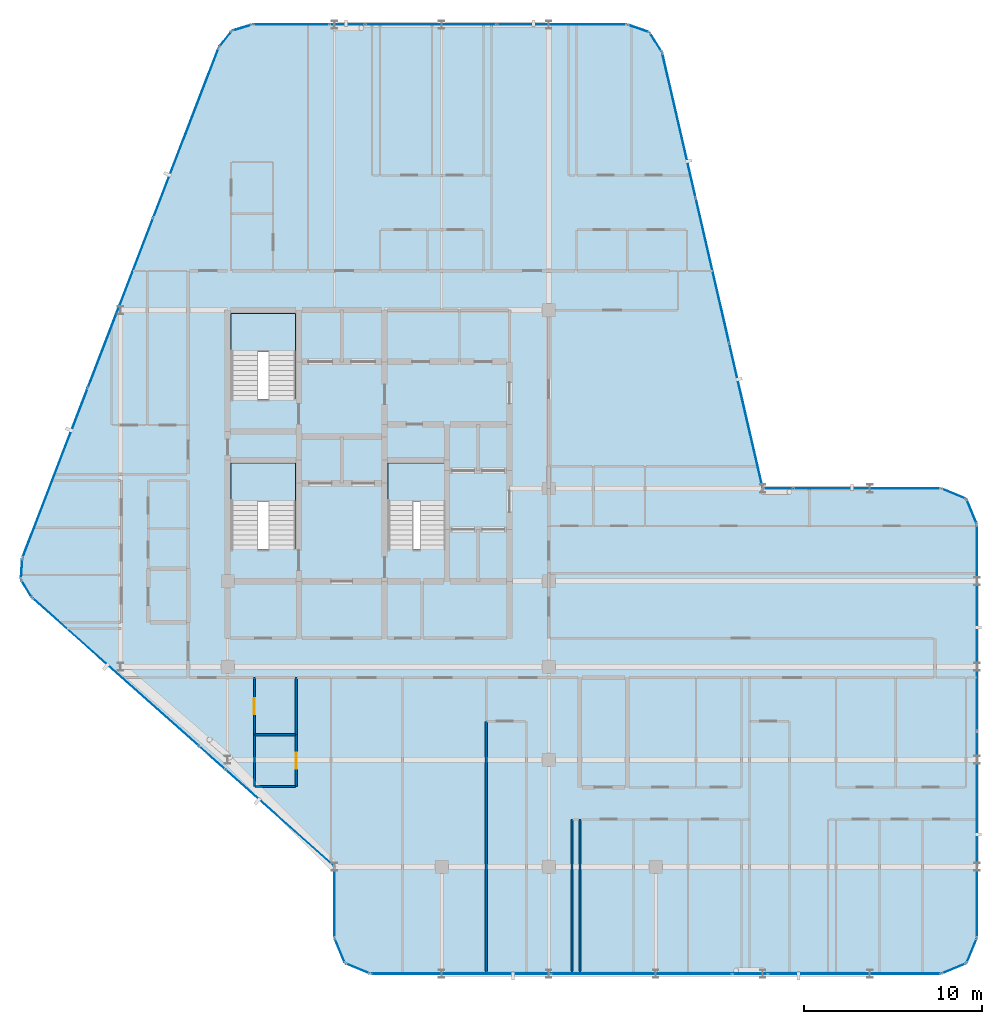
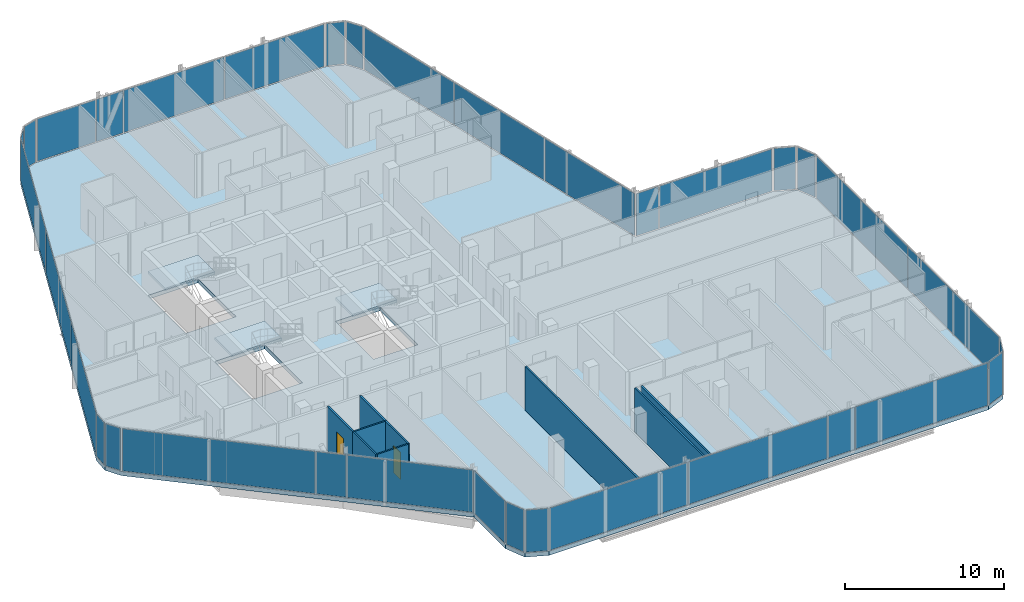
# One storey, part 22 of 29: 34 plates, 9 walls, 4 slabs, 2 doors, 2 openings, 30 elements without a shape of their own.
"""IFC4 building model written with IfcOpenShell, lengths in metres."""

from ifc_helpers import new_model, si_unit, direction, frame, frame_2d, origin, origin_2d, place, context, subcontext, project, spatial, polyline, rectangle, outline, extrude, material, layer, layer_set, type_object, element, fill, aggregate, save


model = new_model("IFC4")

# Units and contexts
model_context = context("Model", 3, precision=1e-05, world=origin(), true_north=direction((0.0, 1.0)))
body_context = subcontext(model_context, "Body", "Model", "MODEL_VIEW")
ifc_project = project(units=[si_unit("LENGTHUNIT", "METRE"), si_unit("AREAUNIT", "SQUARE_METRE"), si_unit("VOLUMEUNIT", "CUBIC_METRE"), si_unit("PLANEANGLEUNIT", "RADIAN"), si_unit("MASSUNIT", "GRAM", prefix="KILO")], contexts=[model_context])

# Site, building, storey
site_placement = place(None, origin())
site = spatial("IfcSite", under=ifc_project, at=site_placement, CompositionType="ELEMENT")
building_placement = place(site_placement, origin())
building = spatial("IfcBuilding", under=site, at=building_placement, Name="Keshet Zoharim Tower", CompositionType="ELEMENT")
storey_placement = place(building_placement, frame((0.0, 0.0, 210.60009765625)))
storey = spatial("IfcBuildingStorey", under=building, at=storey_placement, Name="L52", CompositionType="ELEMENT", Elevation=210.60009765625)

# Curtain wall, plate
ifc_material_1 = material(Name="Aluminium 6063-T6", Category="aluminium")
ifc_layer_1 = layer(ifc_material_1, 0.139892578125)
ifc_layer_set_1 = layer_set([ifc_layer_1], Name="Aluminium 6063-T6")
curtain_wall_type = type_object("IfcCurtainWallType", Name="CW-SYS-05", PredefinedType="NOTDEFINED", material=ifc_layer_set_1)
curtain_wall_1_placement = place(storey_placement, origin())
curtain_wall_1 = element("IfcCurtainWall", 1, at=curtain_wall_1_placement, inside=storey, type_object=curtain_wall_type, Name="L52 Unitised Curtain Wall 01", PredefinedType="NOTDEFINED")
ifc_material_2 = material(Name="Insulated Low-E Clear Glass", Category="glass")
ifc_layer_2 = layer(ifc_material_2, 0.031982421875)
ifc_layer_set_2 = layer_set([ifc_layer_2], Name="Insulated Low-E Clear Glass")
plate_type_1 = type_object("IfcPlateType", Name="CWP-02", PredefinedType="CURTAIN_PANEL", material=ifc_layer_set_2)
plate_1_placement = place(storey_placement, frame((55.70703125, 27.60693359375, 0.06982421875), z_axis=(0.0, 0.0, 1.0), x_axis=(0.92380975372, -0.382851849847, 0.0)))
plate_1 = element("IfcPlate", 2, at=plate_1_placement, type_object=plate_type_1, Name="CW-05 panel 1.1", PredefinedType="CURTAIN_PANEL", context=body_context, shape_type="SweptSolid", body=[
    extrude(rectangle(XDim=1.390625, YDim=0.031982421875, at=origin_2d()), origin(), (0.0, 0.0, 1.0), 3.25),
])
aggregate(curtain_wall_1, [plate_1])

curtain_wall_2_placement = place(storey_placement, origin())
curtain_wall_2 = element("IfcCurtainWall", 3, at=curtain_wall_2_placement, inside=storey, type_object=curtain_wall_type, Name="L52 Unitised Curtain Wall 02", PredefinedType="NOTDEFINED")
plate_2_placement = place(storey_placement, frame((56.70703125, 26.60693359375, 0.06982421875), z_axis=(0.0, 0.0, 1.0), x_axis=(0.382851849847, -0.92380975372, 0.0)))
plate_2 = element("IfcPlate", 4, at=plate_2_placement, type_object=plate_type_1, Name="CW-05 panel 1.1", PredefinedType="CURTAIN_PANEL", context=body_context, shape_type="SweptSolid", body=[
    extrude(rectangle(XDim=1.390625, YDim=0.031982421875, at=origin_2d()), origin(), (0.0, 0.0, 1.0), 3.25),
])
aggregate(curtain_wall_2, [plate_2])

# Curtain wall, plates
curtain_wall_3_placement = place(storey_placement, origin())
curtain_wall_3 = element("IfcCurtainWall", 5, at=curtain_wall_3_placement, inside=storey, type_object=curtain_wall_type, Name="L52 Unitised Curtain Wall 03", PredefinedType="NOTDEFINED")
plate_3_placement = place(storey_placement, frame((57.0, 20.08251953125, 0.06982421875), z_axis=(0.0, 0.0, 1.0), x_axis=(0.0, -1.0, 0.0)))
plate_3 = element("IfcPlate", 6, at=plate_3_placement, type_object=plate_type_1, Name="CW-05 panel 1.1", PredefinedType="CURTAIN_PANEL", context=body_context, shape_type="SweptSolid", body=[
    extrude(rectangle(XDim=11.4951171875, YDim=0.031982421875, at=origin_2d()), origin(), (0.0, 0.0, 1.0), 3.25),
])
plate_4_placement = place(storey_placement, frame((57.0, 8.517578125, 0.06982421875), z_axis=(0.0, 0.0, 1.0), x_axis=(0.0, -1.0, 0.0)))
plate_4 = element("IfcPlate", 7, at=plate_4_placement, type_object=plate_type_1, Name="CW-05 panel 2.1", PredefinedType="CURTAIN_PANEL", context=body_context, shape_type="SweptSolid", body=[
    extrude(rectangle(XDim=11.4951171875, YDim=0.031982421875, at=origin_2d()), origin(), (0.0, 0.0, 1.0), 3.25),
])
aggregate(curtain_wall_3, [plate_3, plate_4])

# Curtain wall, plate
curtain_wall_4_placement = place(storey_placement, origin())
curtain_wall_4 = element("IfcCurtainWall", 8, at=curtain_wall_4_placement, inside=storey, type_object=curtain_wall_type, Name="L52 Unitised Curtain Wall 04", PredefinedType="NOTDEFINED")
plate_5_placement = place(storey_placement, frame((56.70703125, 1.992919921875, 0.06982421875), z_axis=(0.0, 0.0, 1.0), x_axis=(-0.382851849847, -0.92380975372, 0.0)))
plate_5 = element("IfcPlate", 9, at=plate_5_placement, type_object=plate_type_1, Name="CW-05 panel 1.1", PredefinedType="CURTAIN_PANEL", context=body_context, shape_type="SweptSolid", body=[
    extrude(rectangle(XDim=1.390625, YDim=0.031982421875, at=origin_2d()), origin(), (0.0, 0.0, 1.0), 3.25),
])
aggregate(curtain_wall_4, [plate_5])

curtain_wall_5_placement = place(storey_placement, origin())
curtain_wall_5 = element("IfcCurtainWall", 10, at=curtain_wall_5_placement, inside=storey, type_object=curtain_wall_type, Name="L52 Unitised Curtain Wall 05", PredefinedType="NOTDEFINED")
plate_6_placement = place(storey_placement, frame((55.70703125, 0.992919921875, 0.06982421875), z_axis=(0.0, 0.0, 1.0), x_axis=(-0.92380975372, -0.382851849847, 0.0)))
plate_6 = element("IfcPlate", 11, at=plate_6_placement, type_object=plate_type_1, Name="CW-05 panel 1.1", PredefinedType="CURTAIN_PANEL", context=body_context, shape_type="SweptSolid", body=[
    extrude(rectangle(XDim=1.390625, YDim=0.031982421875, at=origin_2d()), origin(), (0.0, 0.0, 1.0), 3.25),
])
aggregate(curtain_wall_5, [plate_6])

curtain_wall_6_placement = place(storey_placement, origin())
curtain_wall_6 = element("IfcCurtainWall", 12, at=curtain_wall_6_placement, inside=storey, type_object=curtain_wall_type, Name="L52 Unitised Curtain Wall 06", PredefinedType="NOTDEFINED")
plate_7_placement = place(storey_placement, frame((50.1240234375, 0.699951171875, 0.06982421875), z_axis=(0.0, 0.0, 1.0), x_axis=(-1.0, 0.0, 0.0)))
plate_7 = element("IfcPlate", 13, at=plate_7_placement, type_object=plate_type_1, Name="CW-05 panel 1.1", PredefinedType="CURTAIN_PANEL", context=body_context, shape_type="SweptSolid", body=[
    extrude(rectangle(XDim=9.61181640625, YDim=0.031982421875, at=origin_2d()), origin(), (0.0, 0.0, 1.0), 3.25),
])
aggregate(curtain_wall_6, [plate_7])

# Curtain wall, plates
curtain_wall_7_placement = place(storey_placement, origin())
curtain_wall_7 = element("IfcCurtainWall", 14, at=curtain_wall_7_placement, inside=storey, type_object=curtain_wall_type, Name="L52 Unitised Curtain Wall 06 Part 3", PredefinedType="NOTDEFINED")
plate_8_placement = place(storey_placement, frame((38.20654296875, 0.699951171875, 0.06982421875), z_axis=(0.0, 0.0, 1.0), x_axis=(-1.0, 0.0, 0.0)))
plate_8 = element("IfcPlate", 15, at=plate_8_placement, type_object=plate_type_1, Name="CW-05 panel 1.1", PredefinedType="CURTAIN_PANEL", context=body_context, shape_type="SweptSolid", body=[
    extrude(rectangle(XDim=10.091064453125, YDim=0.031982421875, at=origin_2d()), origin(), (0.0, 0.0, 1.0), 3.25),
])
plate_9_placement = place(storey_placement, frame((28.08056640625, 0.699951171875, 0.06982421875), z_axis=(0.0, 0.0, 1.0), x_axis=(-1.0, 0.0, 0.0)))
plate_9 = element("IfcPlate", 16, at=plate_9_placement, type_object=plate_type_1, Name="CW-05 panel 2.1", PredefinedType="CURTAIN_PANEL", context=body_context, shape_type="SweptSolid", body=[
    extrude(rectangle(XDim=10.02099609375, YDim=0.031982421875, at=origin_2d()), origin(), (0.0, 0.0, 1.0), 3.25),
])
aggregate(curtain_wall_7, [plate_8, plate_9])

# Curtain wall, plate
curtain_wall_8_placement = place(storey_placement, origin())
curtain_wall_8 = element("IfcCurtainWall", 17, at=curtain_wall_8_placement, inside=storey, type_object=curtain_wall_type, Name="L52 Unitised Curtain Wall 07", PredefinedType="NOTDEFINED")
plate_10_placement = place(storey_placement, frame((22.29296875, 0.992919921875, 0.06982421875), z_axis=(0.0, 0.0, 1.0), x_axis=(-0.92380975372, 0.382851849847, 0.0)))
plate_10 = element("IfcPlate", 18, at=plate_10_placement, type_object=plate_type_1, Name="CW-05 panel 1.1", PredefinedType="CURTAIN_PANEL", context=body_context, shape_type="SweptSolid", body=[
    extrude(rectangle(XDim=1.390625, YDim=0.031982421875, at=origin_2d()), origin(), (0.0, 0.0, 1.0), 3.25),
])
aggregate(curtain_wall_8, [plate_10])

curtain_wall_9_placement = place(storey_placement, origin())
curtain_wall_9 = element("IfcCurtainWall", 19, at=curtain_wall_9_placement, inside=storey, type_object=curtain_wall_type, Name="L52 Unitised Curtain Wall 08", PredefinedType="NOTDEFINED")
plate_11_placement = place(storey_placement, frame((21.29296875, 1.992919921875, 0.06982421875), z_axis=(0.0, 0.0, 1.0), x_axis=(-0.382851849847, 0.92380975372, 0.0)))
plate_11 = element("IfcPlate", 20, at=plate_11_placement, type_object=plate_type_1, Name="CW-05 panel 1.1", PredefinedType="CURTAIN_PANEL", context=body_context, shape_type="SweptSolid", body=[
    extrude(rectangle(XDim=1.390625, YDim=0.031982421875, at=origin_2d()), origin(), (0.0, 0.0, 1.0), 3.25),
])
aggregate(curtain_wall_9, [plate_11])

curtain_wall_10_placement = place(storey_placement, origin())
curtain_wall_10 = element("IfcCurtainWall", 21, at=curtain_wall_10_placement, inside=storey, type_object=curtain_wall_type, Name="L52 Unitised Curtain Wall 09", PredefinedType="NOTDEFINED")
plate_12_placement = place(storey_placement, frame((21.0, 4.699951171875, 0.06982421875), z_axis=(0.0, 0.0, 1.0), x_axis=(0.0, 1.0, 0.0)))
plate_12 = element("IfcPlate", 22, at=plate_12_placement, type_object=plate_type_1, Name="CW-05 panel 1.1", PredefinedType="CURTAIN_PANEL", context=body_context, shape_type="SweptSolid", body=[
    extrude(rectangle(XDim=3.860107421875, YDim=0.031982421875, at=origin_2d()), origin(), (0.0, 0.0, 1.0), 3.25),
])
aggregate(curtain_wall_10, [plate_12])

curtain_wall_11_placement = place(storey_placement, origin())
curtain_wall_11 = element("IfcCurtainWall", 23, at=curtain_wall_11_placement, inside=storey, type_object=curtain_wall_type, Name="L52 Unitised Curtain Wall 10", PredefinedType="NOTDEFINED")
plate_13_placement = place(storey_placement, frame((17.92724609375, 9.431396484375, 0.06982421875), z_axis=(0.0, 0.0, 1.0), x_axis=(-0.74740596379, 0.664367613066, 0.0)))
plate_13 = element("IfcPlate", 24, at=plate_13_placement, type_object=plate_type_1, Name="CW-05 panel 1.1", PredefinedType="CURTAIN_PANEL", context=body_context, shape_type="SweptSolid", body=[
    extrude(rectangle(XDim=8.082763671875, YDim=0.031982421875, at=origin_2d()), origin(), (0.0, 0.0, 1.0), 3.25),
])
aggregate(curtain_wall_11, [plate_13])

curtain_wall_12_placement = place(storey_placement, origin())
curtain_wall_12 = element("IfcCurtainWall", 25, at=curtain_wall_12_placement, inside=storey, type_object=curtain_wall_type, Name="L52 Unitised Curtain Wall 10 Part 3", PredefinedType="NOTDEFINED")
plate_14_placement = place(storey_placement, frame((8.724853515625, 17.611328125, 0.06982421875), z_axis=(0.0, 0.0, 1.0), x_axis=(-0.747406666066, 0.664366823013, 0.0)))
plate_14 = element("IfcPlate", 26, at=plate_14_placement, type_object=plate_type_1, Name="CW-05 panel 1.1", PredefinedType="CURTAIN_PANEL", context=body_context, shape_type="SweptSolid", body=[
    extrude(rectangle(XDim=12.40966796875, YDim=0.031982421875, at=origin_2d()), origin(), (0.0, 0.0, 1.0), 3.25),
])
aggregate(curtain_wall_12, [plate_14])

curtain_wall_13_placement = place(storey_placement, origin())
curtain_wall_13 = element("IfcCurtainWall", 27, at=curtain_wall_13_placement, inside=storey, type_object=curtain_wall_type, Name="L52 Unitised Curtain Wall 11", PredefinedType="NOTDEFINED")
plate_15_placement = place(storey_placement, frame((3.7275390625, 22.291015625, 0.06982421875), z_axis=(0.0, 0.0, 1.0), x_axis=(-0.515604947933, 0.856826433805, 0.0)))
plate_15 = element("IfcPlate", 28, at=plate_15_placement, type_object=plate_type_1, Name="CW-05 panel 1.1", PredefinedType="CURTAIN_PANEL", context=body_context, shape_type="SweptSolid", body=[
    extrude(rectangle(XDim=1.052734375, YDim=0.031982421875, at=origin_2d()), origin(), (0.0, 0.0, 1.0), 3.25),
])
aggregate(curtain_wall_13, [plate_15])

curtain_wall_14_placement = place(storey_placement, origin())
curtain_wall_14 = element("IfcCurtainWall", 29, at=curtain_wall_14_placement, inside=storey, type_object=curtain_wall_type, Name="L52 Unitised Curtain Wall 12", PredefinedType="NOTDEFINED")
plate_16_placement = place(storey_placement, frame((3.45849609375, 23.3974609375, 0.06982421875), z_axis=(0.0, 0.0, 1.0), x_axis=(0.064516859374, 0.997916617186, 0.0)))
plate_16 = element("IfcPlate", 30, at=plate_16_placement, type_object=plate_type_1, Name="CW-05 panel 1.1", PredefinedType="CURTAIN_PANEL", context=body_context, shape_type="SweptSolid", body=[
    extrude(rectangle(XDim=1.053466796875, YDim=0.031982421875, at=origin_2d()), origin(), (0.0, 0.0, 1.0), 3.25),
])
aggregate(curtain_wall_14, [plate_16])

# Curtain wall, plates
curtain_wall_15_placement = place(storey_placement, origin())
curtain_wall_15 = element("IfcCurtainWall", 31, at=curtain_wall_15_placement, inside=storey, type_object=curtain_wall_type, Name="L52 Unitised Curtain Wall 13", PredefinedType="NOTDEFINED")
plate_17_placement = place(storey_placement, frame((5.33837890625, 28.7802734375, 0.06982421875), z_axis=(0.0, 0.0, 1.0), x_axis=(0.358990003907, 0.933341404361, 0.0)))
plate_17 = element("IfcPlate", 32, at=plate_17_placement, type_object=plate_type_1, Name="CW-05 panel 1.1", PredefinedType="CURTAIN_PANEL", context=body_context, shape_type="SweptSolid", body=[
    extrude(rectangle(XDim=10.1181640625, YDim=0.031982421875, at=origin_2d()), origin(), (0.0, 0.0, 1.0), 3.25),
])
plate_18_placement = place(storey_placement, frame((9.001953125, 38.305419921875, 0.06982421875), z_axis=(0.0, 0.0, 1.0), x_axis=(0.358990003907, 0.933341404361, 0.0)))
plate_18 = element("IfcPlate", 33, at=plate_18_placement, type_object=plate_type_1, Name="CW-05 panel 2.1", PredefinedType="CURTAIN_PANEL", context=body_context, shape_type="SweptSolid", body=[
    extrude(rectangle(XDim=10.153076171875, YDim=0.031982421875, at=origin_2d()), origin(), (0.0, 0.0, 1.0), 3.25),
])
plate_19_placement = place(storey_placement, frame((12.665771484375, 47.830810546875, 0.06982421875), z_axis=(0.0, 0.0, 1.0), x_axis=(0.358990003907, 0.933341404361, 0.0)))
plate_19 = element("IfcPlate", 34, at=plate_19_placement, type_object=plate_type_1, Name="CW-05 panel 3.1", PredefinedType="CURTAIN_PANEL", context=body_context, shape_type="SweptSolid", body=[
    extrude(rectangle(XDim=10.1181640625, YDim=0.031982421875, at=origin_2d()), origin(), (0.0, 0.0, 1.0), 3.25),
])
aggregate(curtain_wall_15, [plate_17, plate_18, plate_19])

# Curtain wall, plate
curtain_wall_16_placement = place(storey_placement, origin())
curtain_wall_16 = element("IfcCurtainWall", 35, at=curtain_wall_16_placement, inside=storey, type_object=curtain_wall_type, Name="L52 Unitised Curtain Wall 14", PredefinedType="NOTDEFINED")
plate_20_placement = place(storey_placement, frame((14.8740234375, 53.08349609375, 0.06982421875), z_axis=(0.0, 0.0, 1.0), x_axis=(0.619124525989, 0.785292825205, 0.0)))
plate_20 = element("IfcPlate", 36, at=plate_20_placement, type_object=plate_type_1, Name="CW-05 panel 1.1", PredefinedType="CURTAIN_PANEL", context=body_context, shape_type="SweptSolid", body=[
    extrude(rectangle(XDim=1.045654296875, YDim=0.031982421875, at=origin_2d()), origin(), (0.0, 0.0, 1.0), 3.25),
])
aggregate(curtain_wall_16, [plate_20])

curtain_wall_17_placement = place(storey_placement, origin())
curtain_wall_17 = element("IfcCurtainWall", 37, at=curtain_wall_17_placement, inside=storey, type_object=curtain_wall_type, Name="L52 Unitised Curtain Wall 15", PredefinedType="NOTDEFINED")
plate_21_placement = place(storey_placement, frame((15.8076171875, 53.724609375, 0.06982421875), z_axis=(0.0, 0.0, 1.0), x_axis=(0.955212151288, 0.295921857984, 0.0)))
plate_21 = element("IfcPlate", 38, at=plate_21_placement, type_object=plate_type_1, Name="CW-05 panel 1.1", PredefinedType="CURTAIN_PANEL", context=body_context, shape_type="SweptSolid", body=[
    extrude(rectangle(XDim=1.046142578125, YDim=0.031982421875, at=origin_2d()), origin(), (0.0, 0.0, 1.0), 3.25),
])
aggregate(curtain_wall_17, [plate_21])

curtain_wall_18_placement = place(storey_placement, origin())
curtain_wall_18 = element("IfcCurtainWall", 39, at=curtain_wall_18_placement, inside=storey, type_object=curtain_wall_type, Name="L52 Unitised Curtain Wall 16", PredefinedType="NOTDEFINED")
plate_22_placement = place(storey_placement, frame((18.56298828125, 53.89990234375, 0.06982421875), z_axis=(0.0, 0.0, 1.0), x_axis=(1.0, 0.0, 0.0)))
plate_22 = element("IfcPlate", 40, at=plate_22_placement, type_object=plate_type_1, Name="CW-05 panel 1.1", PredefinedType="CURTAIN_PANEL", context=body_context, shape_type="SweptSolid", body=[
    extrude(rectangle(XDim=4.23779296875, YDim=0.031982421875, at=origin_2d()), origin(), (0.0, 0.0, 1.0), 3.25),
])
aggregate(curtain_wall_18, [plate_22])

# Curtain wall, plates
curtain_wall_19_placement = place(storey_placement, origin())
curtain_wall_19 = element("IfcCurtainWall", 41, at=curtain_wall_19_placement, inside=storey, type_object=curtain_wall_type, Name="L52 Unitised Curtain Wall 16 Part 3", PredefinedType="NOTDEFINED")
plate_23_placement = place(storey_placement, frame((26.395751953125, 53.89990234375, 0.06982421875), z_axis=(0.0, 0.0, 1.0), x_axis=(1.0, 0.0, 0.0)))
plate_23 = element("IfcPlate", 42, at=plate_23_placement, type_object=plate_type_1, Name="CW-05 panel 1.1", PredefinedType="CURTAIN_PANEL", context=body_context, shape_type="SweptSolid", body=[
    extrude(rectangle(XDim=7.29541015625, YDim=0.031982421875, at=origin_2d()), origin(), (0.0, 0.0, 1.0), 3.25),
])
plate_24_placement = place(storey_placement, frame((33.726318359375, 53.89990234375, 0.06982421875), z_axis=(0.0, 0.0, 1.0), x_axis=(1.0, 0.0, 0.0)))
plate_24 = element("IfcPlate", 43, at=plate_24_placement, type_object=plate_type_1, Name="CW-05 panel 2.1", PredefinedType="CURTAIN_PANEL", context=body_context, shape_type="SweptSolid", body=[
    extrude(rectangle(XDim=7.225341796875, YDim=0.031982421875, at=origin_2d()), origin(), (0.0, 0.0, 1.0), 3.25),
])
aggregate(curtain_wall_19, [plate_23, plate_24])

# Curtain wall, plate
curtain_wall_20_placement = place(storey_placement, origin())
curtain_wall_20 = element("IfcCurtainWall", 44, at=curtain_wall_20_placement, inside=storey, type_object=curtain_wall_type, Name="L52 Unitised Curtain Wall 17", PredefinedType="NOTDEFINED")
plate_25_placement = place(storey_placement, frame((38.031494140625, 53.6826171875, 0.06982421875), z_axis=(0.0, 0.0, 1.0), x_axis=(0.944035542119, -0.329843743636, 0.0)))
plate_25 = element("IfcPlate", 45, at=plate_25_placement, type_object=plate_type_1, Name="CW-05 panel 1.1", PredefinedType="CURTAIN_PANEL", context=body_context, shape_type="SweptSolid", body=[
    extrude(rectangle(XDim=1.1787109375, YDim=0.031982421875, at=origin_2d()), origin(), (0.0, 0.0, 1.0), 3.25),
])
aggregate(curtain_wall_20, [plate_25])

curtain_wall_21_placement = place(storey_placement, origin())
curtain_wall_21 = element("IfcCurtainWall", 46, at=curtain_wall_21_placement, inside=storey, type_object=curtain_wall_type, Name="L52 Unitised Curtain Wall 18", PredefinedType="NOTDEFINED")
plate_26_placement = place(storey_placement, frame((39.006103515625, 52.907470703125, 0.06982421875), z_axis=(0.0, 0.0, 1.0), x_axis=(0.533878858502, -0.845560976183, 0.0)))
plate_26 = element("IfcPlate", 47, at=plate_26_placement, type_object=plate_type_1, Name="CW-05 panel 1.1", PredefinedType="CURTAIN_PANEL", context=body_context, shape_type="SweptSolid", body=[
    extrude(rectangle(XDim=1.1787109375, YDim=0.031982421875, at=origin_2d()), origin(), (0.0, 0.0, 1.0), 3.25),
])
aggregate(curtain_wall_21, [plate_26])

# Curtain wall, plates
curtain_wall_22_placement = place(storey_placement, origin())
curtain_wall_22 = element("IfcCurtainWall", 48, at=curtain_wall_22_placement, inside=storey, type_object=curtain_wall_type, Name="L52 Unitised Curtain Wall 19", PredefinedType="NOTDEFINED")
plate_27_placement = place(storey_placement, frame((40.30224609375, 48.258056640625, 0.06982421875), z_axis=(0.0, 0.0, 1.0), x_axis=(0.224847864369, -0.974393882313, 0.0)))
plate_27 = element("IfcPlate", 49, at=plate_27_placement, type_object=plate_type_1, Name="CW-05 panel 1.1", PredefinedType="CURTAIN_PANEL", context=body_context, shape_type="SweptSolid", body=[
    extrude(rectangle(XDim=8.25927734375, YDim=0.031982421875, at=origin_2d()), origin(), (0.0, 0.0, 1.0), 3.25),
])
plate_28_placement = place(storey_placement, frame((42.178955078125, 40.125, 0.06982421875), z_axis=(0.0, 0.0, 1.0), x_axis=(0.224847864369, -0.974393882313, 0.0)))
plate_28 = element("IfcPlate", 50, at=plate_28_placement, type_object=plate_type_1, Name="CW-05 panel 2.1", PredefinedType="CURTAIN_PANEL", context=body_context, shape_type="SweptSolid", body=[
    extrude(rectangle(XDim=8.294189453125, YDim=0.031982421875, at=origin_2d()), origin(), (0.0, 0.0, 1.0), 3.25),
])
plate_29_placement = place(storey_placement, frame((44.0556640625, 31.991943359375, 0.06982421875), z_axis=(0.0, 0.0, 1.0), x_axis=(0.224847864369, -0.974393882313, 0.0)))
plate_29 = element("IfcPlate", 51, at=plate_29_placement, type_object=plate_type_1, Name="CW-05 panel 3.1", PredefinedType="CURTAIN_PANEL", context=body_context, shape_type="SweptSolid", body=[
    extrude(rectangle(XDim=8.25927734375, YDim=0.031982421875, at=origin_2d()), origin(), (0.0, 0.0, 1.0), 3.25),
])
aggregate(curtain_wall_22, [plate_27, plate_28, plate_29])

# Curtain wall, plate
curtain_wall_23_placement = place(storey_placement, origin())
curtain_wall_23 = element("IfcCurtainWall", 52, at=curtain_wall_23_placement, inside=storey, type_object=curtain_wall_type, Name="L52 Unitised Curtain Wall 20 Part 2", PredefinedType="NOTDEFINED")
plate_30_placement = place(storey_placement, frame((50.839111328125, 27.89990234375, 0.06982421875), z_axis=(0.0, 0.0, 1.0), x_axis=(1.0, 0.0, 0.0)))
plate_30 = element("IfcPlate", 53, at=plate_30_placement, type_object=plate_type_1, Name="CW-05 panel 1.1", PredefinedType="CURTAIN_PANEL", context=body_context, shape_type="SweptSolid", body=[
    extrude(rectangle(XDim=8.181884765625, YDim=0.031982421875, at=origin_2d()), origin(), (0.0, 0.0, 1.0), 3.25),
])
aggregate(curtain_wall_23, [plate_30])

curtain_wall_24_placement = place(storey_placement, origin())
curtain_wall_24 = element("IfcCurtainWall", 54, at=curtain_wall_24_placement, inside=storey, type_object=curtain_wall_type, Name="L52 Unitised Curtain Wall 06 Part 2", PredefinedType="NOTDEFINED")
ifc_material_3 = material(Name="Insulated Aluminium Spandrel Panel", Category="aluminium")
ifc_layer_3 = layer(ifc_material_3, 0.031982421875)
ifc_layer_set_3 = layer_set([ifc_layer_3], Name="Insulated Aluminium Spandrel Panel")
plate_type_2 = type_object("IfcPlateType", Name="CWP-05", PredefinedType="CURTAIN_PANEL", material=ifc_layer_set_3)
plate_31_placement = place(storey_placement, frame((44.284912109375, 0.699951171875, 0.06982421875), z_axis=(0.0, 0.0, 1.0), x_axis=(-1.0, 0.0, 0.0)))
plate_31 = element("IfcPlate", 55, at=plate_31_placement, type_object=plate_type_2, Name="CW-05 spandrel panel 1.1", PredefinedType="CURTAIN_PANEL", context=body_context, shape_type="SweptSolid", body=[
    extrude(rectangle(XDim=1.92626953125, YDim=0.031982421875, at=origin_2d()), origin(), (0.0, 0.0, 1.0), 3.25),
])
aggregate(curtain_wall_24, [plate_31])

curtain_wall_25_placement = place(storey_placement, origin())
curtain_wall_25 = element("IfcCurtainWall", 56, at=curtain_wall_25_placement, inside=storey, type_object=curtain_wall_type, Name="L52 Unitised Curtain Wall 10 Part 2", PredefinedType="NOTDEFINED")
plate_32_placement = place(storey_placement, frame((14.134521484375, 12.802734375, 0.06982421875), z_axis=(0.0, 0.0, 1.0), x_axis=(-0.747439721297, 0.664329634314, 0.0)))
plate_32 = element("IfcPlate", 57, at=plate_32_placement, type_object=plate_type_2, Name="CW-05 spandrel panel 1.1", PredefinedType="CURTAIN_PANEL", context=body_context, shape_type="SweptSolid", body=[
    extrude(rectangle(XDim=1.92626953125, YDim=0.031982421875, at=origin_2d()), origin(), (0.0, 0.0, 1.0), 3.25),
])
aggregate(curtain_wall_25, [plate_32])

curtain_wall_26_placement = place(storey_placement, origin())
curtain_wall_26 = element("IfcCurtainWall", 58, at=curtain_wall_26_placement, inside=storey, type_object=curtain_wall_type, Name="L52 Unitised Curtain Wall 16 Part 2", PredefinedType="NOTDEFINED")
plate_33_placement = place(storey_placement, frame((21.715087890625, 53.89990234375, 0.06982421875), z_axis=(0.0, 0.0, 1.0), x_axis=(1.0, 0.0, 0.0)))
plate_33 = element("IfcPlate", 59, at=plate_33_placement, type_object=plate_type_2, Name="CW-05 spandrel panel 1.1", PredefinedType="CURTAIN_PANEL", context=body_context, shape_type="SweptSolid", body=[
    extrude(rectangle(XDim=1.92626953125, YDim=0.031982421875, at=origin_2d()), origin(), (0.0, 0.0, 1.0), 3.25),
])
aggregate(curtain_wall_26, [plate_33])

curtain_wall_27_placement = place(storey_placement, origin())
curtain_wall_27 = element("IfcCurtainWall", 60, at=curtain_wall_27_placement, inside=storey, type_object=curtain_wall_type, Name="L52 Unitised Curtain Wall 20", PredefinedType="NOTDEFINED")
plate_34_placement = place(storey_placement, frame((45.8740234375, 27.89990234375, 0.06982421875), z_axis=(0.0, 0.0, 1.0), x_axis=(1.0, 0.0, 0.0)))
plate_34 = element("IfcPlate", 61, at=plate_34_placement, type_object=plate_type_2, Name="CW-05 spandrel panel 1.1", PredefinedType="CURTAIN_PANEL", context=body_context, shape_type="SweptSolid", body=[
    extrude(rectangle(XDim=1.608154296875, YDim=0.031982421875, at=origin_2d()), origin(), (0.0, 0.0, 1.0), 3.25),
])
aggregate(curtain_wall_27, [plate_34])

# Stair, slab
ifc_material_4 = material(Name="Concrete C50/60", Category="concrete")
stair_type = type_object("IfcStairType", Name="STR-EXIT-135", PredefinedType="HALF_TURN_STAIR", material=ifc_material_4)
stair_1_placement = place(storey_placement, origin())
stair_1 = element("IfcStair", 62, at=stair_1_placement, inside=storey, type_object=stair_type, Name="L52 Enclosed Exit Stair ST-01", PredefinedType="HALF_TURN_STAIR")
ifc_layer_4 = layer(ifc_material_4, 0.199951171875)
ifc_layer_set_4 = layer_set([ifc_layer_4], Name="Concrete C50/60")
slab_type_1 = type_object("IfcSlabType", Name="SLB-LND-200", PredefinedType="LANDING", material=ifc_layer_set_4)
slab_1_placement = place(storey_placement, frame((0.0, 0.0, 1.64990234375)))
slab_1 = element("IfcSlab", 63, at=slab_1_placement, type_object=slab_type_1, Name="ST-01 landing 1", PredefinedType="LANDING", context=body_context, shape_type="SweptSolid", body=[
    extrude(outline(polyline([(15.179931640625, 27.159912109375), (18.820068359375, 27.159912109375), (18.820068359375, 29.320068359375), (15.179931640625, 29.320068359375), (15.179931640625, 27.159912109375)])), origin(), (0.0, 0.0, 1.0), 0.199951171875),
])
aggregate(stair_1, [slab_1])

stair_2_placement = place(storey_placement, origin())
stair_2 = element("IfcStair", 64, at=stair_2_placement, inside=storey, type_object=stair_type, Name="L52 Enclosed Exit Stair ST-02", PredefinedType="HALF_TURN_STAIR")
slab_2_placement = place(storey_placement, frame((0.0, 0.0, 1.64990234375)))
slab_2 = element("IfcSlab", 65, at=slab_2_placement, type_object=slab_type_1, Name="ST-02 landing 1", PredefinedType="LANDING", context=body_context, shape_type="SweptSolid", body=[
    extrude(outline(polyline([(15.179931640625, 35.56005859375), (18.820068359375, 35.56005859375), (18.820068359375, 37.719970703125), (15.179931640625, 37.719970703125), (15.179931640625, 35.56005859375)])), origin(), (0.0, 0.0, 1.0), 0.199951171875),
])
aggregate(stair_2, [slab_2])

stair_3_placement = place(storey_placement, origin())
stair_3 = element("IfcStair", 66, at=stair_3_placement, inside=storey, type_object=stair_type, Name="L52 Enclosed Exit Stair ST-03", PredefinedType="HALF_TURN_STAIR")
slab_3_placement = place(storey_placement, frame((0.0, 0.0, 1.64990234375)))
slab_3 = element("IfcSlab", 67, at=slab_3_placement, type_object=slab_type_1, Name="ST-03 landing 1", PredefinedType="LANDING", context=body_context, shape_type="SweptSolid", body=[
    extrude(outline(polyline([(23.97998046875, 27.159912109375), (27.219970703125, 27.159912109375), (27.219970703125, 29.320068359375), (23.97998046875, 29.320068359375), (23.97998046875, 27.159912109375)])), origin(), (0.0, 0.0, 1.0), 0.199951171875),
])
aggregate(stair_3, [slab_3])

# Slab
ifc_layer_5 = layer(ifc_material_4, 0.31005859375)
ifc_layer_set_5 = layer_set([ifc_layer_5], Name="Concrete C50/60")
slab_type_2 = type_object("IfcSlabType", Name="SLB-UPP-240", PredefinedType="FLOOR", material=ifc_layer_set_5)
slab_4_placement = place(storey_placement, frame((0.0, 0.0, -0.31005859375)))
element("IfcSlab", 68, at=slab_4_placement, inside=storey, type_object=slab_type_2, Name="L52 Structural Floor Slab 1", PredefinedType="FLOOR", context=body_context, shape_type="SweptSolid", body=[
    extrude(outline(polyline([(55.0, 27.89990234375), (56.4140625, 27.31396484375), (57.0, 25.89990234375), (57.0, 2.699951171875), (56.4140625, 1.285888671875), (55.0, 0.699951171875), (23.0, 0.699951171875), (21.5859375, 1.285888671875), (21.0, 2.699951171875), (21.0, 6.699951171875), (4.034912109375, 21.780029296875), (3.419921875, 22.802001953125), (3.4970703125, 23.992919921875), (14.507080078125, 52.617919921875), (15.240966796875, 53.549072265625), (16.3740234375, 53.89990234375), (37.408935546875, 53.89990234375), (38.654052734375, 53.465087890625), (39.35791015625, 52.35009765625), (45.0, 27.89990234375), (55.0, 27.89990234375)]), holes=[polyline([(15.179931640625, 24.52001953125), (18.820068359375, 24.52001953125), (18.820068359375, 29.320068359375), (15.179931640625, 29.320068359375), (15.179931640625, 24.52001953125)]), polyline([(15.179931640625, 32.919921875), (18.820068359375, 32.919921875), (18.820068359375, 37.719970703125), (15.179931640625, 37.719970703125), (15.179931640625, 32.919921875)]), polyline([(23.97998046875, 24.52001953125), (27.219970703125, 24.52001953125), (27.219970703125, 29.320068359375), (23.97998046875, 29.320068359375), (23.97998046875, 24.52001953125)])]), origin(), (0.0, 0.0, 1.0), 0.31005859375),
])

# Wall, opening, door
ifc_material_5 = material(Name="Gypsum Plasterboard", Category="gypsum")
ifc_layer_6 = layer(ifc_material_5, 0.1201171875)
ifc_layer_set_6 = layer_set([ifc_layer_6], Name="Gypsum Plasterboard")
wall_type_1 = type_object("IfcWallType", Name="WL-PART-120", PredefinedType="PARTITIONING", material=ifc_layer_set_6)
wall_1_placement = place(storey_placement, frame((16.5, 14.10009765625, 0.0), z_axis=(0.0, 0.0, 1.0), x_axis=(0.0, 1.0, 0.0)))
wall_1 = element("IfcWall", 69, at=wall_1_placement, inside=storey, type_object=wall_type_1, Name="L52 Interior Wall 020", PredefinedType="PARTITIONING", context=body_context, shape_type="SweptSolid", body=[
    extrude(rectangle(XDim=3.199951171875, YDim=0.1201171875, at=frame_2d((1.60009765625, 0.0))), origin(), (0.0, 0.0, 1.0), 3.389892578125),
])
opening_1_placement = place(wall_1_placement, frame((1.14990234375, 0.0, 0.0)))
opening_1 = element("IfcOpeningElement", 70, at=opening_1_placement, cuts=wall_1, Name="Opening D-IN90", PredefinedType="OPENING", context=body_context, shape_type="SweptSolid", body=[
    extrude(rectangle(XDim=0.89990234375, YDim=2.14990234375, at=frame_2d((0.449951171875, 1.074951171875))), frame((0.0, 0.070068359375, 0.0), z_axis=(0.0, -1.0, 0.0), x_axis=(1.0, 0.0, 0.0)), (0.0, 0.0, 1.0), 0.14013671875),
])
ifc_material_6 = material(Name="Hardwood Timber", Category="wood")
door_type_1 = type_object("IfcDoorType", Name="DR-INT-090", OperationType="NOTDEFINED", PredefinedType="DOOR", material=ifc_material_6)
door_1_placement = place(opening_1_placement, origin())
door_1 = element("IfcDoor", 71, at=door_1_placement, inside=storey, type_object=door_type_1, Name="Apartment 5201 Kitchenette Door", OperationType="SINGLE_SWING_LEFT", OverallHeight=2.14990234375, OverallWidth=0.89990234375, PredefinedType="DOOR", context=body_context, shape_type="SweptSolid", body=[
    extrude(rectangle(XDim=0.89990234375, YDim=2.14990234375, at=frame_2d((0.449951171875, 1.074951171875))), frame((0.0, 0.02490234375, 0.0), z_axis=(0.0, -1.0, 0.0), x_axis=(1.0, 0.0, 0.0)), (0.0, 0.0, 1.0), 0.050048828125),
])
fill(opening_1, door_1)

# Walls
wall_2_placement = place(storey_placement, frame((18.85009765625, 14.10009765625, 0.0), z_axis=(0.0, 0.0, 1.0), x_axis=(0.0, 1.0, 0.0)))
element("IfcWall", 72, at=wall_2_placement, inside=storey, type_object=wall_type_1, Name="L52 Interior Wall 024", PredefinedType="PARTITIONING", context=body_context, shape_type="SweptSolid", body=[
    extrude(rectangle(XDim=3.199951171875, YDim=0.1201171875, at=frame_2d((1.60009765625, 0.0))), origin(), (0.0, 0.0, 1.0), 3.389892578125),
])
wall_3_placement = place(storey_placement, frame((29.5, 0.7099609375, 0.0), z_axis=(0.0, 0.0, 1.0), x_axis=(0.0, 1.0, 0.0)))
element("IfcWall", 73, at=wall_3_placement, inside=storey, type_object=wall_type_1, Name="L52 Interior Wall 057", PredefinedType="PARTITIONING", context=body_context, shape_type="SweptSolid", body=[
    extrude(rectangle(XDim=14.14013671875, YDim=0.1201171875, at=frame_2d((7.070068359375, 0.0))), origin(), (0.0, 0.0, 1.0), 3.389892578125),
])
for number, where, z_axis, x_axis, name in (
    (74, (34.300048828125, 0.7099609375, 0.0), (0.0, 0.0, 1.0), (0.0, 1.0, 0.0), "L52 Interior Wall 072"),
    (75, (34.75, 0.7099609375, 0.0), (0.0, 0.0, 1.0), (0.0, 1.0, 0.0), "L52 Interior Wall 075"),
):
    element("IfcWall", number, at=place(storey_placement, frame(where, z_axis=z_axis, x_axis=x_axis)), inside=storey, type_object=wall_type_1, Name=name, PredefinedType="PARTITIONING", context=body_context, shape_type="SweptSolid", body=[
        extrude(rectangle(XDim=8.64013671875, YDim=0.1201171875, at=frame_2d((4.320068359375, 0.0))), origin(), (0.0, 0.0, 1.0), 3.389892578125),
    ])
ifc_layer_7 = layer(ifc_material_5, 0.1201171875)
ifc_layer_set_7 = layer_set([ifc_layer_7], Name="Gypsum Plasterboard")
wall_type_2 = type_object("IfcWallType", Name="WL-WET-120", PredefinedType="PARTITIONING", material=ifc_layer_set_7)
wall_4_placement = place(storey_placement, frame((16.5, 11.199951171875, 0.0), z_axis=(0.0, 0.0, 1.0), x_axis=(0.0, 1.0, 0.0)))
element("IfcWall", 76, at=wall_4_placement, inside=storey, type_object=wall_type_2, Name="L52 Interior Wall 019", PredefinedType="PARTITIONING", context=body_context, shape_type="SweptSolid", body=[
    extrude(rectangle(XDim=2.900146484375, YDim=0.1201171875, at=frame_2d((1.4501953125, 0.0))), origin(), (0.0, 0.0, 1.0), 3.389892578125),
])

# Wall, opening, door
wall_5_placement = place(storey_placement, frame((18.85009765625, 11.199951171875, 0.0), z_axis=(0.0, 0.0, 1.0), x_axis=(0.0, 1.0, 0.0)))
wall_5 = element("IfcWall", 77, at=wall_5_placement, inside=storey, type_object=wall_type_2, Name="L52 Interior Wall 023", PredefinedType="PARTITIONING", context=body_context, shape_type="SweptSolid", body=[
    extrude(rectangle(XDim=2.900146484375, YDim=0.1201171875, at=frame_2d((1.4501953125, 0.0))), origin(), (0.0, 0.0, 1.0), 3.389892578125),
])
opening_2_placement = place(wall_5_placement, frame((1.0, 0.0, 0.0)))
opening_2 = element("IfcOpeningElement", 78, at=opening_2_placement, cuts=wall_5, Name="Opening D-WT90", PredefinedType="OPENING", context=body_context, shape_type="SweptSolid", body=[
    extrude(rectangle(XDim=0.89990234375, YDim=2.10009765625, at=frame_2d((0.449951171875, 1.050048828125))), frame((0.0, 0.070068359375, 0.0), z_axis=(0.0, -1.0, 0.0), x_axis=(1.0, 0.0, 0.0)), (0.0, 0.0, 1.0), 0.14013671875),
])
door_type_2 = type_object("IfcDoorType", Name="DR-WET-090", OperationType="NOTDEFINED", PredefinedType="DOOR", material=ifc_material_6)
door_2_placement = place(opening_2_placement, origin())
door_2 = element("IfcDoor", 79, at=door_2_placement, inside=storey, type_object=door_type_2, Name="Apartment 5201 Bathroom Door", OperationType="SINGLE_SWING_LEFT", OverallHeight=2.10009765625, OverallWidth=0.89990234375, PredefinedType="DOOR", context=body_context, shape_type="SweptSolid", body=[
    extrude(rectangle(XDim=0.89990234375, YDim=2.10009765625, at=frame_2d((0.449951171875, 1.050048828125))), frame((0.0, 0.02490234375, 0.0), z_axis=(0.0, -1.0, 0.0), x_axis=(1.0, 0.0, 0.0)), (0.0, 0.0, 1.0), 0.050048828125),
])
fill(opening_2, door_2)

# Walls
for number, where, z_axis, x_axis, name in (
    (80, (16.544921875, 11.199951171875, 0.0), (0.0, 0.0, 1.0), (1.0, 0.0, 0.0), "L52 Interior Wall 112"),
    (81, (16.544921875, 14.10009765625, 0.0), (0.0, 0.0, 1.0), (1.0, 0.0, 0.0), "L52 Interior Wall 113"),
):
    element("IfcWall", number, at=place(storey_placement, frame(where, z_axis=z_axis, x_axis=x_axis)), inside=storey, type_object=wall_type_2, Name=name, PredefinedType="PARTITIONING", context=body_context, shape_type="SweptSolid", body=[
        extrude(rectangle(XDim=2.260009765625, YDim=0.1201171875, at=frame_2d((1.1298828125, 0.0))), origin(), (0.0, 0.0, 1.0), 3.389892578125),
    ])

save(model, "model.ifc")
